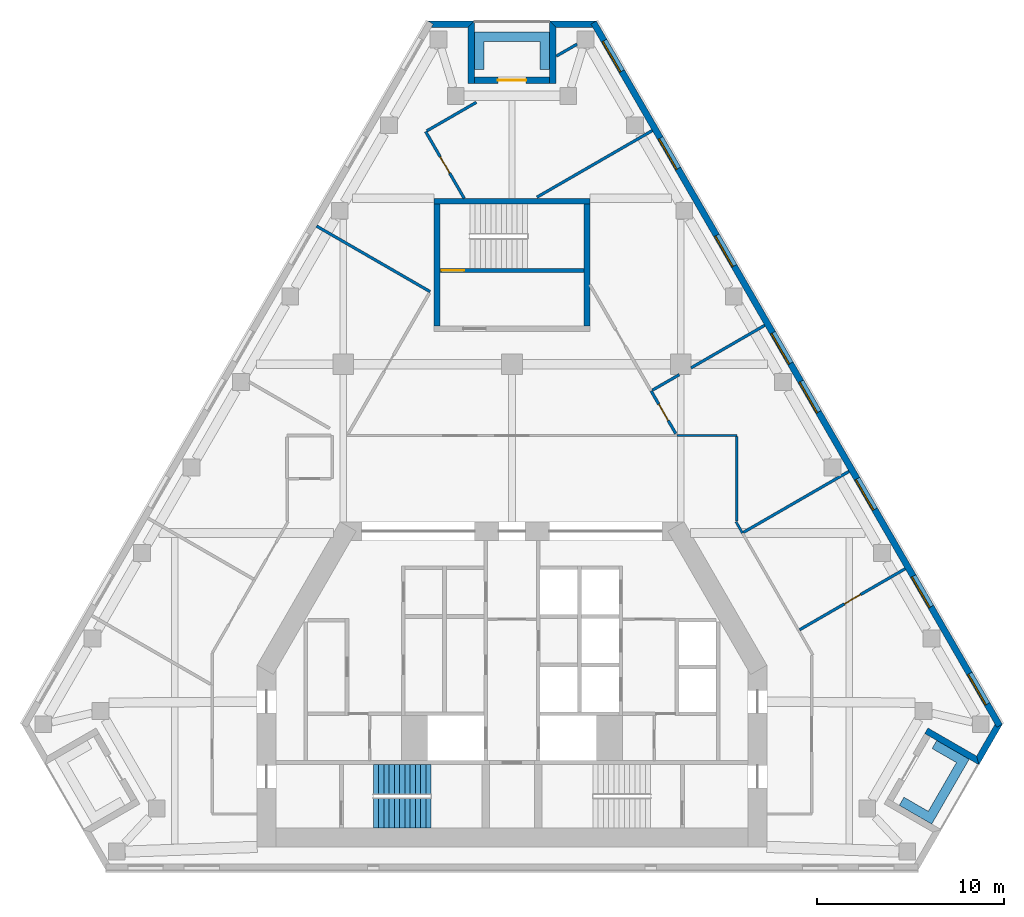
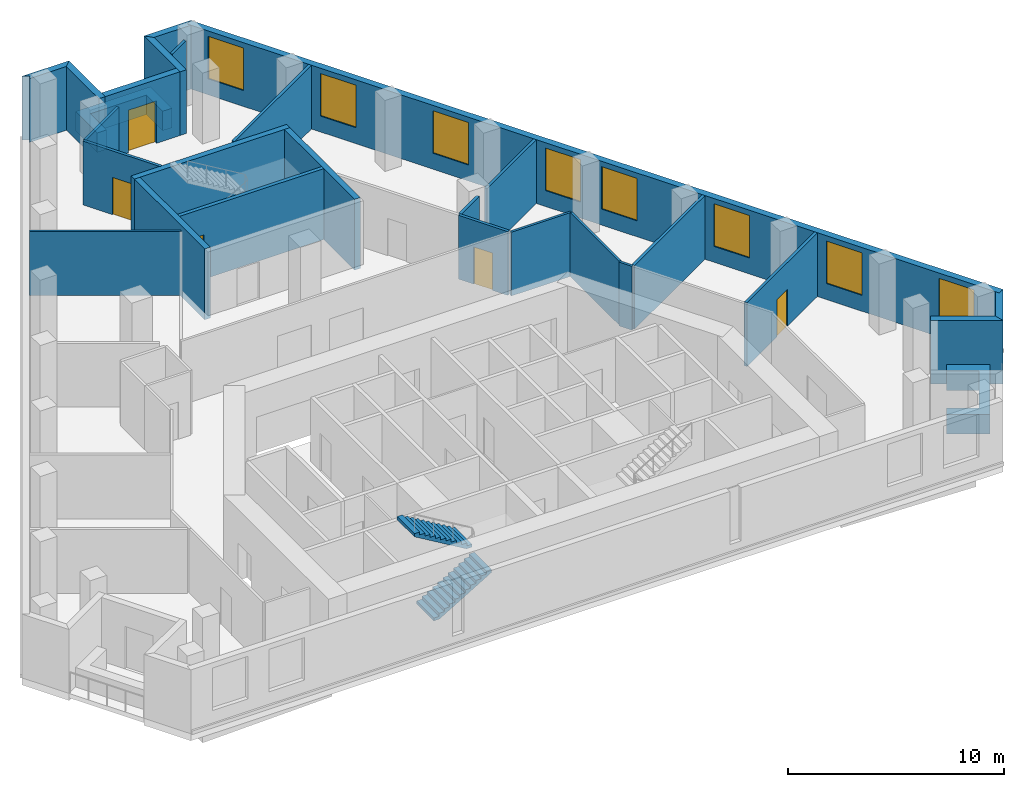
# One storey, part 5 of 7: 27 walls, 8 windows, 5 doors, 2 stair flights, 13 openings, 1 element without a shape of its own.
"""IFC4 building model written with IfcOpenShell, lengths in metres."""

from ifc_helpers import new_model, si_unit, direction, frame, frame_2d, origin, place, context, subcontext, project, spatial, polyline, rectangle, outline, extrude, material, layer, layer_set, type_object, element, fill, aggregate, save


model = new_model("IFC4")

# Units and contexts
model_context = context("Model", 3, precision=1e-05, world=origin(), true_north=direction((0.0, 1.0)))
body_context = subcontext(model_context, "Body", "Model", "MODEL_VIEW")
ifc_project = project(units=[si_unit("LENGTHUNIT", "METRE"), si_unit("AREAUNIT", "SQUARE_METRE"), si_unit("VOLUMEUNIT", "CUBIC_METRE"), si_unit("PLANEANGLEUNIT", "RADIAN"), si_unit("MASSUNIT", "GRAM", prefix="KILO")], contexts=[model_context])

# Site, building, storey
site_placement = place(None, origin())
site = spatial("IfcSite", under=ifc_project, at=site_placement, CompositionType="ELEMENT")
building_placement = place(site_placement, origin())
building = spatial("IfcBuilding", under=site, at=building_placement, Name="Fogline Exchange Tower", CompositionType="ELEMENT")
storey_placement = place(building_placement, frame((0.0, 0.0, 247.5)))
storey = spatial("IfcBuildingStorey", under=building, at=storey_placement, Name="L56", CompositionType="ELEMENT", Elevation=247.5)

# Wall, opening, door
ifc_material_1 = material(Name="Concrete C40", Category="concrete")
ifc_layer_1 = layer(ifc_material_1, 0.199951171875)
ifc_layer_set_1 = layer_set([ifc_layer_1], Name="CW20R")
wall_type_1 = type_object("IfcWallType", Name="CW20R", PredefinedType="SOLIDWALL", material=ifc_layer_set_1)
wall_1_placement = place(storey_placement, frame((-3.85009765625, 32.007080078125, -0.39990234375), z_axis=(0.0, 0.0, 1.0), x_axis=(1.0, 0.0, 0.0)))
wall_1 = element("IfcWall", 1, at=wall_1_placement, inside=storey, type_object=wall_type_1, Name="Stair enclosure wall ST3", PredefinedType="SOLIDWALL", context=body_context, shape_type="SweptSolid", body=[
    extrude(rectangle(XDim=7.7001953125, YDim=0.199951171875, at=frame_2d((3.85009765625, 0.0))), origin(), (0.0, 0.0, 1.0), 4.0),
])
opening_1_placement = place(wall_1_placement, frame((0.10009765625, 0.0, 0.39990234375)))
opening_1 = element("IfcOpeningElement", 2, at=opening_1_placement, cuts=wall_1, Name="Opening T18-C024", PredefinedType="OPENING", context=body_context, shape_type="SweptSolid", body=[
    extrude(rectangle(XDim=1.199951171875, YDim=2.10009765625, at=frame_2d((0.60009765625, 1.050048828125))), frame((0.0, 0.10986328125, 0.0), z_axis=(0.0, -1.0, 0.0), x_axis=(1.0, 0.0, 0.0)), (0.0, 0.0, 1.0), 0.219970703125),
])
ifc_material_2 = material(Name="Steel and timber fire door", Category="steel")
door_type_1 = type_object("IfcDoorType", Name="D-ST1", OperationType="SINGLE_SWING_LEFT", PredefinedType="DOOR", material=ifc_material_2)
door_1_placement = place(opening_1_placement, origin())
door_1 = element("IfcDoor", 3, at=door_1_placement, inside=storey, type_object=door_type_1, Name="Stair door ST3", OperationType="SINGLE_SWING_LEFT", OverallHeight=2.10009765625, OverallWidth=1.199951171875, PredefinedType="DOOR", context=body_context, shape_type="SweptSolid", body=[
    extrude(rectangle(XDim=1.199951171875, YDim=2.10009765625, at=frame_2d((0.60009765625, 1.050048828125))), frame((0.0, 0.02490234375, 0.0), z_axis=(0.0, -1.0, 0.0), x_axis=(1.0, 0.0, 0.0)), (0.0, 0.0, 1.0), 0.050048828125),
])
fill(opening_1, door_1)

# Walls
ifc_layer_2 = layer(ifc_material_1, 0.300048828125)
ifc_layer_set_2 = layer_set([ifc_layer_2], Name="CW30")
wall_type_2 = type_object("IfcWallType", Name="CW30", PredefinedType="SOLIDWALL", material=ifc_layer_set_2)
wall_2_placement = place(storey_placement, frame((-4.14990234375, 35.70703125, -0.39990234375), z_axis=(0.0, 0.0, 1.0), x_axis=(1.0, 0.0, 0.0)))
element("IfcWall", 4, at=wall_2_placement, inside=storey, type_object=wall_type_2, Name="Stair enclosure wall ST3", PredefinedType="SOLIDWALL", context=body_context, shape_type="SweptSolid", body=[
    extrude(rectangle(XDim=8.2998046875, YDim=0.300048828125, at=frame_2d((4.14990234375, 0.0))), origin(), (0.0, 0.0, 1.0), 4.0),
])
for number, where, z_axis, x_axis, name in (
    (5, (-4.0, 29.056884765625, -0.39990234375), (0.0, 0.0, 1.0), (0.0, 1.0, 0.0), "Stair enclosure wall ST3"),
    (6, (4.0, 29.056884765625, -0.39990234375), (0.0, 0.0, 1.0), (0.0, 1.0, 0.0), "Stair enclosure wall ST3"),
):
    element("IfcWall", number, at=place(storey_placement, frame(where, z_axis=z_axis, x_axis=x_axis)), inside=storey, type_object=wall_type_2, Name=name, PredefinedType="SOLIDWALL", context=body_context, shape_type="SweptSolid", body=[
        extrude(rectangle(XDim=6.5, YDim=0.300048828125, at=frame_2d((3.25, 0.0))), origin(), (0.0, 0.0, 1.0), 4.0),
    ])
ifc_material_3 = material(Name="Brick masonry", Category="masonry")
ifc_layer_3 = layer(ifc_material_3, 0.340087890625)
ifc_layer_set_3 = layer_set([ifc_layer_3], Name="FW1")
wall_type_3 = type_object("IfcWallType", Name="FW1", PredefinedType="SOLIDWALL", material=ifc_layer_set_3)
wall_3_placement = place(storey_placement, origin())
element("IfcWall", 7, at=wall_3_placement, inside=storey, type_object=wall_type_3, Name="Brick wall L56 SE-s2", PredefinedType="SOLIDWALL", context=body_context, shape_type="SweptSolid", body=[
    extrude(outline(polyline([(24.919921875, 5.628173828125), (22.321044921875, 7.128662109375), (22.026123046875, 7.298828125), (22.196533203125, 7.594482421875), (24.79541015625, 6.093994140625), (24.920166015625, 5.62841796875), (24.919921875, 5.628173828125)])), origin(), (0.0, 0.0, 1.0), 3.60009765625),
])
wall_4_placement = place(storey_placement, origin())
element("IfcWall", 8, at=wall_4_placement, inside=storey, type_object=wall_type_3, Name="Brick wall L56 SE-c2", PredefinedType="SOLIDWALL", context=body_context, shape_type="SweptSolid", body=[
    extrude(outline(polyline([(25.77685546875, 7.79541015625), (25.875244140625, 7.625), (26.169921875, 7.79541015625), (26.17041015625, 7.794921875), (24.91943359375, 5.6279296875), (24.9189453125, 5.6279296875), (24.794189453125, 6.09375), (25.77685546875, 7.79541015625)])), origin(), (0.0, 0.0, 1.0), 3.60009765625),
])

# Wall, openings, windows
wall_5_placement = place(storey_placement, frame((26.022216796875, 7.709228515625, 0.0), z_axis=(0.0, 0.0, 1.0), x_axis=(-0.500000891752, 0.866024888931, 0.0)))
wall_5 = element("IfcWall", 9, at=wall_5_placement, inside=storey, type_object=wall_type_3, Name="Brick wall L56 E", PredefinedType="SOLIDWALL", context=body_context, shape_type="SweptSolid", body=[
    extrude(rectangle(XDim=43.3388671875, YDim=0.340087890625, at=frame_2d((21.66943359375, 0.0))), origin(), (0.0, 0.0, 1.0), 3.60009765625),
])
opening_2_placement = place(wall_5_placement, frame((1.334716796875, 0.0, 0.89990234375)))
opening_2 = element("IfcOpeningElement", 10, at=opening_2_placement, cuts=wall_5, Name="Opening W1", PredefinedType="OPENING", context=body_context, shape_type="SweptSolid", body=[
    extrude(rectangle(XDim=1.885009765625, YDim=2.39990234375, at=frame_2d((0.9423828125, 1.199951171875))), frame((0.0, 0.18017578125, 0.0), z_axis=(0.0, -1.0, 0.0), x_axis=(1.0, 0.0, 0.0)), (0.0, 0.0, 1.0), 0.360107421875),
])
opening_3_placement = place(wall_5_placement, frame((7.334716796875, 0.0, 0.89990234375)))
opening_3 = element("IfcOpeningElement", 11, at=opening_3_placement, cuts=wall_5, Name="Opening W1", PredefinedType="OPENING", context=body_context, shape_type="SweptSolid", body=[
    extrude(rectangle(XDim=1.885009765625, YDim=2.39990234375, at=frame_2d((0.9423828125, 1.199951171875))), frame((0.0, 0.18017578125, 0.0), z_axis=(0.0, -1.0, 0.0), x_axis=(1.0, 0.0, 0.0)), (0.0, 0.0, 1.0), 0.360107421875),
])
opening_4_placement = place(wall_5_placement, frame((13.334716796875, 0.0, 0.89990234375)))
opening_4 = element("IfcOpeningElement", 12, at=opening_4_placement, cuts=wall_5, Name="Opening W1", PredefinedType="OPENING", context=body_context, shape_type="SweptSolid", body=[
    extrude(rectangle(XDim=1.885009765625, YDim=2.39990234375, at=frame_2d((0.9423828125, 1.199951171875))), frame((0.0, 0.18017578125, 0.0), z_axis=(0.0, -1.0, 0.0), x_axis=(1.0, 0.0, 0.0)), (0.0, 0.0, 1.0), 0.360107421875),
])
opening_5_placement = place(wall_5_placement, frame((19.334716796875, 0.0, 0.89990234375)))
opening_5 = element("IfcOpeningElement", 13, at=opening_5_placement, cuts=wall_5, Name="Opening W1", PredefinedType="OPENING", context=body_context, shape_type="SweptSolid", body=[
    extrude(rectangle(XDim=1.885009765625, YDim=2.39990234375, at=frame_2d((0.9423828125, 1.199951171875))), frame((0.0, 0.18017578125, 0.0), z_axis=(0.0, -1.0, 0.0), x_axis=(1.0, 0.0, 0.0)), (0.0, 0.0, 1.0), 0.360107421875),
])
opening_6_placement = place(wall_5_placement, frame((22.334716796875, 0.0, 0.89990234375)))
opening_6 = element("IfcOpeningElement", 14, at=opening_6_placement, cuts=wall_5, Name="Opening W1", PredefinedType="OPENING", context=body_context, shape_type="SweptSolid", body=[
    extrude(rectangle(XDim=1.885009765625, YDim=2.39990234375, at=frame_2d((0.9423828125, 1.199951171875))), frame((0.0, 0.18017578125, 0.0), z_axis=(0.0, -1.0, 0.0), x_axis=(1.0, 0.0, 0.0)), (0.0, 0.0, 1.0), 0.360107421875),
])
opening_7_placement = place(wall_5_placement, frame((28.334716796875, 0.0, 0.89990234375)))
opening_7 = element("IfcOpeningElement", 15, at=opening_7_placement, cuts=wall_5, Name="Opening W1", PredefinedType="OPENING", context=body_context, shape_type="SweptSolid", body=[
    extrude(rectangle(XDim=1.885009765625, YDim=2.39990234375, at=frame_2d((0.9423828125, 1.199951171875))), frame((0.0, 0.18017578125, 0.0), z_axis=(0.0, -1.0, 0.0), x_axis=(1.0, 0.0, 0.0)), (0.0, 0.0, 1.0), 0.360107421875),
])
opening_8_placement = place(wall_5_placement, frame((34.334716796875, 0.0, 0.89990234375)))
opening_8 = element("IfcOpeningElement", 16, at=opening_8_placement, cuts=wall_5, Name="Opening W1", PredefinedType="OPENING", context=body_context, shape_type="SweptSolid", body=[
    extrude(rectangle(XDim=1.885009765625, YDim=2.39990234375, at=frame_2d((0.9423828125, 1.199951171875))), frame((0.0, 0.18017578125, 0.0), z_axis=(0.0, -1.0, 0.0), x_axis=(1.0, 0.0, 0.0)), (0.0, 0.0, 1.0), 0.360107421875),
])
opening_9_placement = place(wall_5_placement, frame((40.334716796875, 0.0, 0.89990234375)))
opening_9 = element("IfcOpeningElement", 17, at=opening_9_placement, cuts=wall_5, Name="Opening W1", PredefinedType="OPENING", context=body_context, shape_type="SweptSolid", body=[
    extrude(rectangle(XDim=1.885009765625, YDim=2.39990234375, at=frame_2d((0.9423828125, 1.199951171875))), frame((0.0, 0.18017578125, 0.0), z_axis=(0.0, -1.0, 0.0), x_axis=(1.0, 0.0, 0.0)), (0.0, 0.0, 1.0), 0.360107421875),
])
ifc_material_4 = material(Name="Aluminium and glass", Category="aluminium")
window_type = type_object("IfcWindowType", Name="W1", PartitioningType="SINGLE_PANEL", PredefinedType="WINDOW", material=ifc_material_4)
window_1_placement = place(opening_2_placement, origin())
window_1 = element("IfcWindow", 18, at=window_1_placement, inside=storey, type_object=window_type, Name="W1 W1", OverallHeight=2.39990234375, OverallWidth=1.885009765625, PartitioningType="SINGLE_PANEL", PredefinedType="WINDOW", context=body_context, shape_type="SweptSolid", body=[
    extrude(rectangle(XDim=1.885009765625, YDim=2.39990234375, at=frame_2d((0.9423828125, 1.199951171875))), frame((0.0, 0.110107421875, 0.0), z_axis=(0.0, -1.0, 0.0), x_axis=(1.0, 0.0, 0.0)), (0.0, 0.0, 1.0), 0.06005859375),
])
fill(opening_2, window_1)
window_2_placement = place(opening_3_placement, origin())
window_2 = element("IfcWindow", 19, at=window_2_placement, inside=storey, type_object=window_type, Name="W1 W1", OverallHeight=2.39990234375, OverallWidth=1.885009765625, PartitioningType="SINGLE_PANEL", PredefinedType="WINDOW", context=body_context, shape_type="SweptSolid", body=[
    extrude(rectangle(XDim=1.885009765625, YDim=2.39990234375, at=frame_2d((0.9423828125, 1.199951171875))), frame((0.0, 0.110107421875, 0.0), z_axis=(0.0, -1.0, 0.0), x_axis=(1.0, 0.0, 0.0)), (0.0, 0.0, 1.0), 0.06005859375),
])
fill(opening_3, window_2)
window_3_placement = place(opening_4_placement, origin())
window_3 = element("IfcWindow", 20, at=window_3_placement, inside=storey, type_object=window_type, Name="W1 W1", OverallHeight=2.39990234375, OverallWidth=1.885009765625, PartitioningType="SINGLE_PANEL", PredefinedType="WINDOW", context=body_context, shape_type="SweptSolid", body=[
    extrude(rectangle(XDim=1.885009765625, YDim=2.39990234375, at=frame_2d((0.9423828125, 1.199951171875))), frame((0.0, 0.110107421875, 0.0), z_axis=(0.0, -1.0, 0.0), x_axis=(1.0, 0.0, 0.0)), (0.0, 0.0, 1.0), 0.06005859375),
])
fill(opening_4, window_3)
window_4_placement = place(opening_5_placement, origin())
window_4 = element("IfcWindow", 21, at=window_4_placement, inside=storey, type_object=window_type, Name="W1 W1", OverallHeight=2.39990234375, OverallWidth=1.885009765625, PartitioningType="SINGLE_PANEL", PredefinedType="WINDOW", context=body_context, shape_type="SweptSolid", body=[
    extrude(rectangle(XDim=1.885009765625, YDim=2.39990234375, at=frame_2d((0.9423828125, 1.199951171875))), frame((0.0, 0.110107421875, 0.0), z_axis=(0.0, -1.0, 0.0), x_axis=(1.0, 0.0, 0.0)), (0.0, 0.0, 1.0), 0.06005859375),
])
fill(opening_5, window_4)
window_5_placement = place(opening_6_placement, origin())
window_5 = element("IfcWindow", 22, at=window_5_placement, inside=storey, type_object=window_type, Name="W1 W1", OverallHeight=2.39990234375, OverallWidth=1.885009765625, PartitioningType="SINGLE_PANEL", PredefinedType="WINDOW", context=body_context, shape_type="SweptSolid", body=[
    extrude(rectangle(XDim=1.885009765625, YDim=2.39990234375, at=frame_2d((0.9423828125, 1.199951171875))), frame((0.0, 0.110107421875, 0.0), z_axis=(0.0, -1.0, 0.0), x_axis=(1.0, 0.0, 0.0)), (0.0, 0.0, 1.0), 0.06005859375),
])
fill(opening_6, window_5)
window_6_placement = place(opening_7_placement, origin())
window_6 = element("IfcWindow", 23, at=window_6_placement, inside=storey, type_object=window_type, Name="W1 W1", OverallHeight=2.39990234375, OverallWidth=1.885009765625, PartitioningType="SINGLE_PANEL", PredefinedType="WINDOW", context=body_context, shape_type="SweptSolid", body=[
    extrude(rectangle(XDim=1.885009765625, YDim=2.39990234375, at=frame_2d((0.9423828125, 1.199951171875))), frame((0.0, 0.110107421875, 0.0), z_axis=(0.0, -1.0, 0.0), x_axis=(1.0, 0.0, 0.0)), (0.0, 0.0, 1.0), 0.06005859375),
])
fill(opening_7, window_6)
window_7_placement = place(opening_8_placement, origin())
window_7 = element("IfcWindow", 24, at=window_7_placement, inside=storey, type_object=window_type, Name="W1 W1", OverallHeight=2.39990234375, OverallWidth=1.885009765625, PartitioningType="SINGLE_PANEL", PredefinedType="WINDOW", context=body_context, shape_type="SweptSolid", body=[
    extrude(rectangle(XDim=1.885009765625, YDim=2.39990234375, at=frame_2d((0.9423828125, 1.199951171875))), frame((0.0, 0.110107421875, 0.0), z_axis=(0.0, -1.0, 0.0), x_axis=(1.0, 0.0, 0.0)), (0.0, 0.0, 1.0), 0.06005859375),
])
fill(opening_8, window_7)
window_8_placement = place(opening_9_placement, origin())
window_8 = element("IfcWindow", 25, at=window_8_placement, inside=storey, type_object=window_type, Name="W1 W1", OverallHeight=2.39990234375, OverallWidth=1.885009765625, PartitioningType="SINGLE_PANEL", PredefinedType="WINDOW", context=body_context, shape_type="SweptSolid", body=[
    extrude(rectangle(XDim=1.885009765625, YDim=2.39990234375, at=frame_2d((0.9423828125, 1.199951171875))), frame((0.0, 0.110107421875, 0.0), z_axis=(0.0, -1.0, 0.0), x_axis=(1.0, 0.0, 0.0)), (0.0, 0.0, 1.0), 0.06005859375),
])
fill(opening_9, window_8)

# Walls
wall_6_placement = place(storey_placement, origin())
element("IfcWall", 26, at=wall_6_placement, inside=storey, type_object=wall_type_3, Name="Brick wall L56 N-c1", PredefinedType="SOLIDWALL", context=body_context, shape_type="SweptSolid", body=[
    extrude(outline(polyline([(1.9990234375, 45.3271484375), (4.5009765625, 45.3271484375), (4.501220703125, 45.32666015625), (4.206298828125, 45.156494140625), (4.3046875, 44.986083984375), (2.33984375, 44.986083984375), (1.998779296875, 45.326904296875), (1.9990234375, 45.3271484375)])), origin(), (0.0, 0.0, 1.0), 3.60009765625),
])
wall_7_placement = place(storey_placement, origin())
element("IfcWall", 27, at=wall_7_placement, inside=storey, type_object=wall_type_3, Name="Brick wall L56 N-s1", PredefinedType="SOLIDWALL", context=body_context, shape_type="SweptSolid", body=[
    extrude(outline(polyline([(2.340576171875, 41.986083984375), (1.99951171875, 41.986083984375), (1.99951171875, 45.32763671875), (1.999755859375, 45.327880859375), (2.340576171875, 44.98681640625), (2.340576171875, 41.986083984375)])), origin(), (0.0, 0.0, 1.0), 3.60009765625),
])

# Wall, opening, door
wall_8_placement = place(storey_placement, frame((2.0, 42.15673828125, 0.0), z_axis=(0.0, 0.0, 1.0), x_axis=(-1.0, 0.0, 0.0)))
wall_8 = element("IfcWall", 28, at=wall_8_placement, inside=storey, type_object=wall_type_3, Name="Brick wall L56 N-bk", PredefinedType="SOLIDWALL", context=body_context, shape_type="SweptSolid", body=[
    extrude(rectangle(XDim=4.0, YDim=0.340087890625, at=frame_2d((2.0, 0.0))), origin(), (0.0, 0.0, 1.0), 3.60009765625),
])
opening_10_placement = place(wall_8_placement, frame((1.25, 0.0, 0.0)))
opening_10 = element("IfcOpeningElement", 29, at=opening_10_placement, cuts=wall_8, Name="Opening T18-E141", PredefinedType="OPENING", context=body_context, shape_type="SweptSolid", body=[
    extrude(rectangle(XDim=1.5, YDim=2.39990234375, at=frame_2d((0.75, 1.199951171875))), frame((0.0, 0.18017578125, 0.0), z_axis=(0.0, -1.0, 0.0), x_axis=(1.0, 0.0, 0.0)), (0.0, 0.0, 1.0), 0.360107421875),
])
door_type_2 = type_object("IfcDoorType", Name="ED4", OperationType="SINGLE_SWING_LEFT", PredefinedType="DOOR", material=ifc_material_4)
door_2_placement = place(opening_10_placement, frame((1.5, 0.0, 0.0), z_axis=(0.0, 0.0, 1.0), x_axis=(-1.0, 0.0, 0.0)))
door_2 = element("IfcDoor", 30, at=door_2_placement, inside=storey, type_object=door_type_2, Name="Balcony door L56 N", OperationType="DOUBLE_DOOR_SINGLE_SWING", OverallHeight=2.39990234375, OverallWidth=1.5, PredefinedType="DOOR", context=body_context, shape_type="SweptSolid", body=[
    extrude(rectangle(XDim=1.5, YDim=2.39990234375, at=frame_2d((0.75, 1.199951171875))), frame((0.0, 0.02490234375, 0.0), z_axis=(0.0, -1.0, 0.0), x_axis=(1.0, 0.0, 0.0)), (0.0, 0.0, 1.0), 0.050048828125),
])
fill(opening_10, door_2)

# Walls
wall_9_placement = place(storey_placement, origin())
element("IfcWall", 31, at=wall_9_placement, inside=storey, type_object=wall_type_3, Name="Brick wall L56 N-s2", PredefinedType="SOLIDWALL", context=body_context, shape_type="SweptSolid", body=[
    extrude(outline(polyline([(-1.99951171875, 45.32763671875), (-1.99951171875, 41.986083984375), (-2.340576171875, 41.986083984375), (-2.340576171875, 44.98681640625), (-1.999755859375, 45.327880859375), (-1.99951171875, 45.32763671875)])), origin(), (0.0, 0.0, 1.0), 3.60009765625),
])
wall_10_placement = place(storey_placement, origin())
element("IfcWall", 32, at=wall_10_placement, inside=storey, type_object=wall_type_3, Name="Brick wall L56 N-c2", PredefinedType="SOLIDWALL", context=body_context, shape_type="SweptSolid", body=[
    extrude(outline(polyline([(-4.3046875, 44.986083984375), (-4.206298828125, 45.156494140625), (-4.501220703125, 45.32666015625), (-4.5009765625, 45.3271484375), (-1.9990234375, 45.3271484375), (-1.998779296875, 45.326904296875), (-2.33984375, 44.986083984375), (-4.3046875, 44.986083984375)])), origin(), (0.0, 0.0, 1.0), 3.60009765625),
])
ifc_material_5 = material(Name="Concrete C30", Category="concrete")
ifc_layer_4 = layer(ifc_material_5, 0.199951171875)
ifc_layer_set_4 = layer_set([ifc_layer_4], Name="PL1")
wall_type_4 = type_object("IfcWallType", Name="PL1", PredefinedType="USERDEFINED", material=ifc_layer_set_4)
wall_11_placement = place(storey_placement, origin())
element("IfcWall", 33, at=wall_11_placement, inside=storey, type_object=wall_type_4, Name="PLANTER balcony L56 SE", ObjectType="PLANTER", PredefinedType="USERDEFINED", context=body_context, shape_type="SweptSolid", body=[
    extrude(outline(polyline([(20.667724609375, 3.465087890625), (21.966796875, 2.715087890625), (21.966796875, 2.715087890625), (22.399658203125, 2.465087890625), (24.149658203125, 5.49609375), (24.399658203125, 5.92919921875), (22.667724609375, 6.92919921875), (22.417724609375, 6.49609375), (23.716796875, 5.74609375), (22.216796875, 3.148193359375), (20.917724609375, 3.898193359375), (20.667724609375, 3.465087890625)])), origin(), (0.0, 0.0, 1.0), 1.10009765625),
])
wall_12_placement = place(storey_placement, origin())
element("IfcWall", 34, at=wall_12_placement, inside=storey, type_object=wall_type_4, Name="PLANTER balcony L56 N", ObjectType="PLANTER", PredefinedType="USERDEFINED", context=body_context, shape_type="SweptSolid", body=[
    extrude(outline(polyline([(-1.5, 44.726806640625), (-2.0, 44.726806640625), (-2.0, 44.226806640625), (-2.0, 42.726806640625), (-1.5, 42.726806640625), (-1.5, 44.226806640625), (1.5, 44.226806640625), (1.5, 42.726806640625), (2.0, 42.726806640625), (2.0, 44.226806640625), (2.0, 44.726806640625), (1.5, 44.726806640625), (-1.5, 44.726806640625)])), origin(), (0.0, 0.0, 1.0), 1.10009765625),
])
ifc_material_6 = material(Name="Plasterboard corridor partition with mineral wool, 2 layers each side")
ifc_layer_5 = layer(ifc_material_6, 0.125)
ifc_layer_set_5 = layer_set([ifc_layer_5], Name="PW2")
wall_type_5 = type_object("IfcWallType", Name="PW2", PredefinedType="PARTITIONING", material=ifc_layer_set_5)
wall_13_placement = place(storey_placement, frame((11.951904296875, 18.60009765625, 0.0), z_axis=(0.0, 0.0, 1.0), x_axis=(0.499793951269, -0.866144333396, 0.0)))
element("IfcWall", 35, at=wall_13_placement, inside=storey, type_object=wall_type_5, Name="wall-L56-W001", PredefinedType="PARTITIONING", context=body_context, shape_type="SweptSolid", body=[
    extrude(rectangle(XDim=0.689697265625, YDim=0.125, at=frame_2d((0.3447265625, 0.0))), origin(), (0.0, 0.0, 1.0), 3.60009765625),
])
wall_14_placement = place(storey_placement, frame((8.79931640625, 23.199951171875, 0.0), z_axis=(0.0, 0.0, 1.0), x_axis=(1.0, 0.0, 0.0)))
element("IfcWall", 36, at=wall_14_placement, inside=storey, type_object=wall_type_5, Name="wall-L56-W006", PredefinedType="PARTITIONING", context=body_context, shape_type="SweptSolid", body=[
    extrude(rectangle(XDim=3.20068359375, YDim=0.125, at=frame_2d((1.600341796875, 0.0))), origin(), (0.0, 0.0, 1.0), 3.60009765625),
])
wall_15_placement = place(storey_placement, frame((12.0, 23.137451171875, 0.0), z_axis=(0.0, 0.0, 1.0), x_axis=(0.0, -1.0, 0.0)))
element("IfcWall", 37, at=wall_15_placement, inside=storey, type_object=wall_type_5, Name="wall-L56-W007", PredefinedType="PARTITIONING", context=body_context, shape_type="SweptSolid", body=[
    extrude(rectangle(XDim=4.505859375, YDim=0.125, at=frame_2d((2.2529296875, 0.0))), origin(), (0.0, 0.0, 1.0), 3.60009765625),
])
ifc_material_7 = material(Name="Plasterboard demising partition with mineral wool and acoustic board")
ifc_layer_6 = layer(ifc_material_7, 0.14990234375)
ifc_layer_set_6 = layer_set([ifc_layer_6], Name="PW3")
wall_type_6 = type_object("IfcWallType", Name="PW3", PredefinedType="PARTITIONING", material=ifc_layer_set_6)
wall_16_placement = place(storey_placement, frame((7.489013671875, 25.619384765625, 0.0), z_axis=(0.0, 0.0, 1.0), x_axis=(0.86604609353, 0.499964162598, 0.0)))
element("IfcWall", 38, at=wall_16_placement, inside=storey, type_object=wall_type_6, Name="wall-L56-W017", PredefinedType="PARTITIONING", context=body_context, shape_type="SweptSolid", body=[
    extrude(rectangle(XDim=1.6611328125, YDim=0.14990234375, at=frame_2d((0.83056640625, 0.0))), origin(), (0.0, 0.0, 1.0), 3.60009765625),
])
wall_17_placement = place(storey_placement, frame((9.550048828125, 26.809326171875, 0.0), z_axis=(0.0, 0.0, 1.0), x_axis=(0.866039786615, 0.499975087379, 0.0)))
element("IfcWall", 39, at=wall_17_placement, inside=storey, type_object=wall_type_6, Name="wall-L56-W018", PredefinedType="PARTITIONING", context=body_context, shape_type="SweptSolid", body=[
    extrude(rectangle(XDim=4.545166015625, YDim=0.14990234375, at=frame_2d((2.2724609375, 0.0))), origin(), (0.0, 0.0, 1.0), 3.60009765625),
])

# Wall, opening, door
wall_18_placement = place(storey_placement, frame((8.7412109375, 23.30029296875, 0.0), z_axis=(0.0, 0.0, 1.0), x_axis=(-0.499976488486, 0.866038977738, 0.0)))
wall_18 = element("IfcWall", 40, at=wall_18_placement, inside=storey, type_object=wall_type_6, Name="wall-L56-W019", PredefinedType="PARTITIONING", context=body_context, shape_type="SweptSolid", body=[
    extrude(rectangle(XDim=2.634521484375, YDim=0.14990234375, at=frame_2d((1.3173828125, 0.0))), origin(), (0.0, 0.0, 1.0), 3.60009765625),
])
opening_11_placement = place(wall_18_placement, frame((0.817138671875, 0.0, 0.0)))
opening_11 = element("IfcOpeningElement", 41, at=opening_11_placement, cuts=wall_18, Name="Opening T18-D008", PredefinedType="OPENING", context=body_context, shape_type="SweptSolid", body=[
    extrude(rectangle(XDim=1.0, YDim=2.10009765625, at=frame_2d((0.5, 1.050048828125))), frame((0.0, 0.0849609375, 0.0), z_axis=(0.0, -1.0, 0.0), x_axis=(1.0, 0.0, 0.0)), (0.0, 0.0, 1.0), 0.169921875),
])
ifc_material_8 = material(Name="Fire-rated timber door leaf with steel frame", Category="steel")
door_type_3 = type_object("IfcDoorType", Name="D3", OperationType="SINGLE_SWING_LEFT", PredefinedType="DOOR", material=ifc_material_8)
door_3_placement = place(opening_11_placement, frame((1.0, 0.0, 0.0), z_axis=(0.0, 0.0, 1.0), x_axis=(-1.0, 0.0, 0.0)))
door_3 = element("IfcDoor", 42, at=door_3_placement, inside=storey, type_object=door_type_3, Name="door-L56-D008", OperationType="SINGLE_SWING_RIGHT", OverallHeight=2.10009765625, OverallWidth=1.0, PredefinedType="DOOR", context=body_context, shape_type="SweptSolid", body=[
    extrude(rectangle(XDim=1.0, YDim=2.10009765625, at=frame_2d((0.5, 1.050048828125))), frame((0.0, 0.02490234375, 0.0), z_axis=(0.0, -1.0, 0.0), x_axis=(1.0, 0.0, 0.0)), (0.0, 0.0, 1.0), 0.050048828125),
])
fill(opening_11, door_3)

# Walls
wall_19_placement = place(storey_placement, frame((17.986328125, 21.28759765625, 0.0), z_axis=(0.0, 0.0, 1.0), x_axis=(-0.866041263748, -0.499972528731, 0.0)))
element("IfcWall", 43, at=wall_19_placement, inside=storey, type_object=wall_type_6, Name="wall-L56-W020", PredefinedType="PARTITIONING", context=body_context, shape_type="SweptSolid", body=[
    extrude(rectangle(XDim=6.507080078125, YDim=0.14990234375, at=frame_2d((3.25341796875, 0.0))), origin(), (0.0, 0.0, 1.0), 3.60009765625),
])
wall_20_placement = place(storey_placement, frame((1.3330078125, 35.921630859375, 0.0), z_axis=(0.0, 0.0, 1.0), x_axis=(0.86603338142, 0.499986182076, 0.0)))
element("IfcWall", 44, at=wall_20_placement, inside=storey, type_object=wall_type_6, Name="wall-L56-W021", PredefinedType="PARTITIONING", context=body_context, shape_type="SweptSolid", body=[
    extrude(rectangle(XDim=7.105224609375, YDim=0.14990234375, at=frame_2d((3.552734375, 0.0))), origin(), (0.0, 0.0, 1.0), 3.60009765625),
])
wall_21_placement = place(storey_placement, frame((3.47265625, 44.08740234375, 0.0), z_axis=(0.0, 0.0, 1.0), x_axis=(-0.866036056452, -0.499981548585, 0.0)))
element("IfcWall", 45, at=wall_21_placement, inside=storey, type_object=wall_type_6, Name="wall-L56-W022", PredefinedType="PARTITIONING", context=body_context, shape_type="SweptSolid", body=[
    extrude(rectangle(XDim=1.27783203125, YDim=0.14990234375, at=frame_2d((0.638916015625, 0.0))), origin(), (0.0, 0.0, 1.0), 3.60009765625),
])

# Wall, opening, door
wall_22_placement = place(storey_placement, frame((-2.549560546875, 35.85693359375, 0.0), z_axis=(0.0, 0.0, 1.0), x_axis=(-0.499997954832, 0.866026584559, 0.0)))
wall_22 = element("IfcWall", 46, at=wall_22_placement, inside=storey, type_object=wall_type_6, Name="wall-L56-W024", PredefinedType="PARTITIONING", context=body_context, shape_type="SweptSolid", body=[
    extrude(rectangle(XDim=4.11669921875, YDim=0.14990234375, at=frame_2d((2.058349609375, 0.0))), origin(), (0.0, 0.0, 1.0), 3.60009765625),
])
opening_12_placement = place(wall_22_placement, frame((1.558349609375, 0.0, 0.0)))
opening_12 = element("IfcOpeningElement", 47, at=opening_12_placement, cuts=wall_22, Name="Opening T18-D010", PredefinedType="OPENING", context=body_context, shape_type="SweptSolid", body=[
    extrude(rectangle(XDim=1.0, YDim=2.10009765625, at=frame_2d((0.5, 1.050048828125))), frame((0.0, 0.0849609375, 0.0), z_axis=(0.0, -1.0, 0.0), x_axis=(1.0, 0.0, 0.0)), (0.0, 0.0, 1.0), 0.169921875),
])
door_4_placement = place(opening_12_placement, frame((1.0, 0.0, 0.0), z_axis=(0.0, 0.0, 1.0), x_axis=(-1.0, 0.0, 0.0)))
door_4 = element("IfcDoor", 48, at=door_4_placement, inside=storey, type_object=door_type_3, Name="door-L56-D010", OperationType="SINGLE_SWING_RIGHT", OverallHeight=2.10009765625, OverallWidth=1.0, PredefinedType="DOOR", context=body_context, shape_type="SweptSolid", body=[
    extrude(rectangle(XDim=1.0, YDim=2.10009765625, at=frame_2d((0.5, 1.050048828125))), frame((0.0, 0.02490234375, 0.0), z_axis=(0.0, -1.0, 0.0), x_axis=(1.0, 0.0, 0.0)), (0.0, 0.0, 1.0), 0.050048828125),
])
fill(opening_12, door_4)

# Walls
wall_23_placement = place(storey_placement, frame((-4.54296875, 39.459716796875, 0.0), z_axis=(0.0, 0.0, 1.0), x_axis=(0.86602690036, 0.499997407846, 0.0)))
element("IfcWall", 49, at=wall_23_placement, inside=storey, type_object=wall_type_6, Name="wall-L56-W025", PredefinedType="PARTITIONING", context=body_context, shape_type="SweptSolid", body=[
    extrude(rectangle(XDim=3.048828125, YDim=0.14990234375, at=frame_2d((1.5244140625, 0.0))), origin(), (0.0, 0.0, 1.0), 3.60009765625),
])
wall_24_placement = place(storey_placement, frame((-4.36669921875, 30.877685546875, 0.0), z_axis=(0.0, 0.0, 1.0), x_axis=(-0.866019471182, 0.500010275428, 0.0)))
element("IfcWall", 50, at=wall_24_placement, inside=storey, type_object=wall_type_6, Name="wall-L56-W027", PredefinedType="PARTITIONING", context=body_context, shape_type="SweptSolid", body=[
    extrude(rectangle(XDim=6.999755859375, YDim=0.14990234375, at=frame_2d((3.5, 0.0))), origin(), (0.0, 0.0, 1.0), 3.60009765625),
])

# Wall, opening, door
wall_25_placement = place(storey_placement, frame((15.350830078125, 12.837890625, 0.0), z_axis=(0.0, 0.0, 1.0), x_axis=(0.866025018171, 0.500000667901, 0.0)))
wall_25 = element("IfcWall", 51, at=wall_25_placement, inside=storey, type_object=wall_type_6, Name="wall-L56-W033", PredefinedType="PARTITIONING", context=body_context, shape_type="SweptSolid", body=[
    extrude(rectangle(XDim=6.50732421875, YDim=0.14990234375, at=frame_2d((3.253662109375, 0.0))), origin(), (0.0, 0.0, 1.0), 3.60009765625),
])
opening_13_placement = place(wall_25_placement, frame((2.753662109375, 0.0, 0.0)))
opening_13 = element("IfcOpeningElement", 52, at=opening_13_placement, cuts=wall_25, Name="Opening T18-D012", PredefinedType="OPENING", context=body_context, shape_type="SweptSolid", body=[
    extrude(rectangle(XDim=1.0, YDim=2.10009765625, at=frame_2d((0.5, 1.050048828125))), frame((0.0, 0.0849609375, 0.0), z_axis=(0.0, -1.0, 0.0), x_axis=(1.0, 0.0, 0.0)), (0.0, 0.0, 1.0), 0.169921875),
])
door_5_placement = place(opening_13_placement, origin())
door_5 = element("IfcDoor", 53, at=door_5_placement, inside=storey, type_object=door_type_3, Name="door-L56-D012", OperationType="SINGLE_SWING_LEFT", OverallHeight=2.10009765625, OverallWidth=1.0, PredefinedType="DOOR", context=body_context, shape_type="SweptSolid", body=[
    extrude(rectangle(XDim=1.0, YDim=2.10009765625, at=frame_2d((0.5, 1.050048828125))), frame((0.0, 0.02490234375, 0.0), z_axis=(0.0, -1.0, 0.0), x_axis=(1.0, 0.0, 0.0)), (0.0, 0.0, 1.0), 0.050048828125),
])
fill(opening_13, door_5)

# Stair, stair flights
stair_type = type_object("IfcStairType", Name="STR24-1667", PredefinedType="HALF_TURN_STAIR", material=ifc_material_1)
stair_placement = place(storey_placement, origin())
stair = element("IfcStair", 54, at=stair_placement, inside=storey, type_object=stair_type, Name="Stair ST1", PredefinedType="HALF_TURN_STAIR")
stair_flight_type = type_object("IfcStairFlightType", Name="SF12-1667", PredefinedType="STRAIGHT", material=ifc_material_1)
stair_flight_1_placement = place(storey_placement, frame((-7.39990234375, 3.050048828125, 0.0), z_axis=(0.0, 0.0, 1.0), x_axis=(1.0, 0.0, 0.0)))
stair_flight_1 = element("IfcStairFlight", 55, at=stair_flight_1_placement, type_object=stair_flight_type, Name="ST1 flight 1", NumberOfRisers=12, NumberOfTreads=11, PredefinedType="STRAIGHT", RiserHeight=0.166666667, TreadLength=0.28, context=body_context, shape_type="SweptSolid", body=[
    extrude(outline(polyline([(0.0, 0.0), (0.0, 0.166748046875), (0.280029296875, 0.166748046875), (0.280029296875, 0.333251953125), (0.56005859375, 0.333251953125), (0.56005859375, 0.5), (0.840087890625, 0.5), (0.840087890625, 0.666748046875), (1.1201171875, 0.666748046875), (1.1201171875, 0.833251953125), (1.39990234375, 0.833251953125), (1.39990234375, 1.0), (1.679931640625, 1.0), (1.679931640625, 1.166748046875), (1.9599609375, 1.166748046875), (1.9599609375, 1.333251953125), (2.239990234375, 1.333251953125), (2.239990234375, 1.5), (2.52001953125, 1.5), (2.52001953125, 1.666748046875), (2.800048828125, 1.666748046875), (2.800048828125, 1.833251953125), (3.080078125, 1.833251953125), (3.080078125, 2.0), (3.080078125, 1.658935546875), (0.29296875, 0.0), (0.0, 0.0)])), frame((0.0, 0.800048828125, 0.0), z_axis=(0.0, -1.0, 0.0), x_axis=(1.0, 0.0, 0.0)), (0.0, 0.0, 1.0), 1.60009765625),
])
stair_flight_2_placement = place(storey_placement, frame((-4.320068359375, 4.85009765625, 2.0), z_axis=(0.0, 0.0, 1.0), x_axis=(-1.0, 0.0, 0.0)))
stair_flight_2 = element("IfcStairFlight", 56, at=stair_flight_2_placement, type_object=stair_flight_type, Name="ST1 flight 2", NumberOfRisers=12, NumberOfTreads=11, PredefinedType="STRAIGHT", RiserHeight=0.166666667, TreadLength=0.28, context=body_context, shape_type="SweptSolid", body=[
    extrude(outline(polyline([(0.0, 0.0), (0.0, 0.166748046875), (0.280029296875, 0.166748046875), (0.280029296875, 0.333251953125), (0.56005859375, 0.333251953125), (0.56005859375, 0.5), (0.840087890625, 0.5), (0.840087890625, 0.666748046875), (1.1201171875, 0.666748046875), (1.1201171875, 0.833251953125), (1.39990234375, 0.833251953125), (1.39990234375, 1.0), (1.679931640625, 1.0), (1.679931640625, 1.166748046875), (1.9599609375, 1.166748046875), (1.9599609375, 1.333251953125), (2.239990234375, 1.333251953125), (2.239990234375, 1.5), (2.52001953125, 1.5), (2.52001953125, 1.666748046875), (2.800048828125, 1.666748046875), (2.800048828125, 1.833251953125), (3.080078125, 1.833251953125), (3.080078125, 2.0), (3.080078125, 1.658935546875), (0.29296875, 0.0), (0.0, 0.0)])), frame((0.0, 0.800048828125, 0.0), z_axis=(0.0, -1.0, 0.0), x_axis=(1.0, 0.0, 0.0)), (0.0, 0.0, 1.0), 1.60009765625),
])
aggregate(stair, [stair_flight_1, stair_flight_2])

save(model, "model.ifc")
